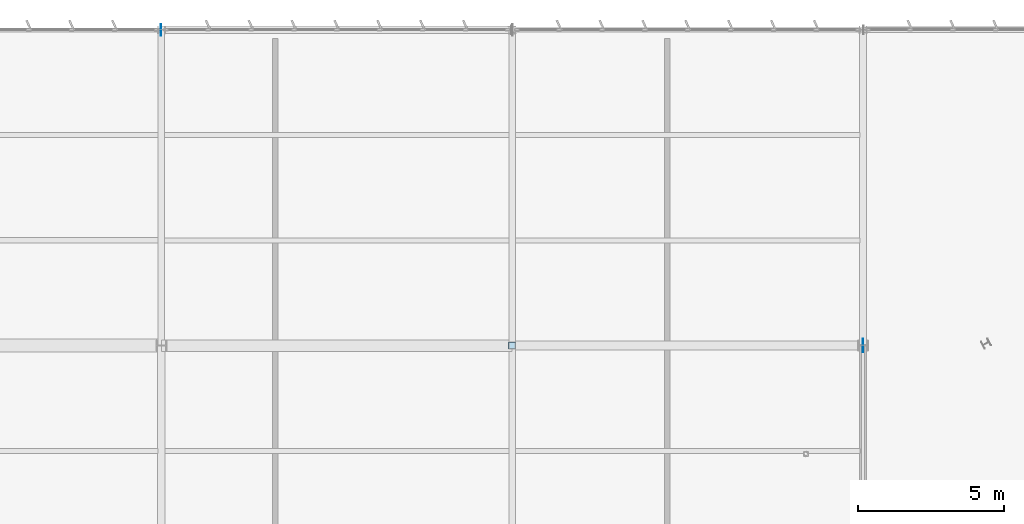
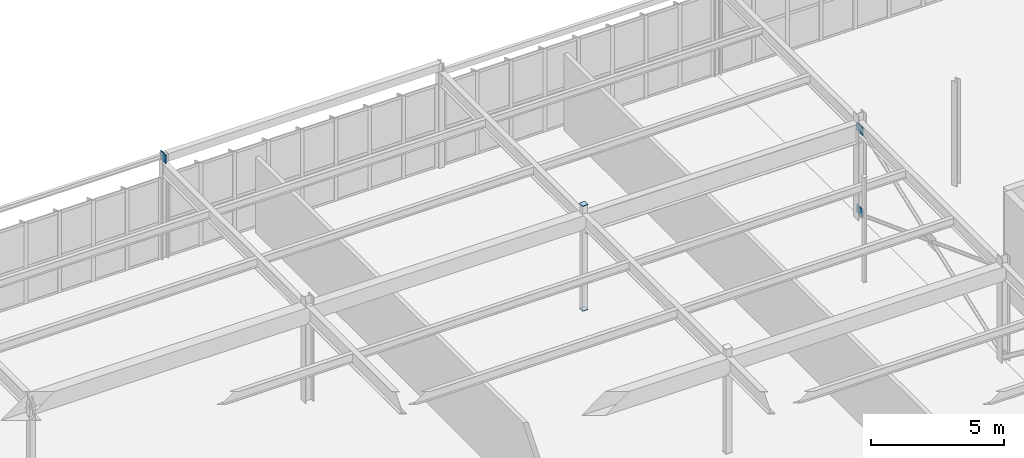
# One storey, part 172 of 226: 5 plates.
"""IFC4 building model written with IfcOpenShell, lengths in metres."""

from ifc_helpers import new_model, si_unit, direction, frame, origin, origin_2d, place, context, subcontext, project, spatial, rectangle, extrude, material, layer, layer_set, type_object, element, save


model = new_model("IFC4")

# Units and contexts
model_context = context("Model", 3, precision=1e-05, world=origin(), true_north=direction((0.0, 1.0)))
body_context = subcontext(model_context, "Body", "Model", "MODEL_VIEW")
ifc_project = project(units=[si_unit("LENGTHUNIT", "METRE"), si_unit("AREAUNIT", "SQUARE_METRE"), si_unit("VOLUMEUNIT", "CUBIC_METRE"), si_unit("PLANEANGLEUNIT", "RADIAN"), si_unit("MASSUNIT", "GRAM", prefix="KILO")], contexts=[model_context])

# Site, building, storey
site_placement = place(None, origin())
site = spatial("IfcSite", under=ifc_project, at=site_placement, CompositionType="ELEMENT")
building_placement = place(site_placement, origin())
building = spatial("IfcBuilding", under=site, at=building_placement, Name="Tarnwether General Hospital", CompositionType="ELEMENT")
storey_placement = place(building_placement, frame((0.0, 0.0, 4.800048828125)))
storey = spatial("IfcBuildingStorey", under=building, at=storey_placement, Name="L01", CompositionType="ELEMENT", Elevation=4.800048828125)

# Plates
ifc_material = material(Name="Steel Grade 350 (350 MPa)", Category="steel")
ifc_layer = layer(ifc_material, 0.02490234375)
ifc_layer_set = layer_set([ifc_layer], Name="Steel Grade 350 (350 MPa)")
plate_type = type_object("IfcPlateType", Name="PT-GUS2", PredefinedType="USERDEFINED", material=ifc_layer_set)
for number, where, z_axis, x_axis, name in (
    (1, (60.0, 115.199951171875, 0.110107421875), (0.0, 0.0, 1.0), (0.0, 1.0, 0.0), "X-Brace Corner Gusset Plate 045"),
    (2, (60.0, 115.199951171875, 3.860107421875), (0.0, 0.0, 1.0), (0.0, 1.0, 0.0), "X-Brace Corner Gusset Plate 047"),
):
    element("IfcPlate", number, at=place(storey_placement, frame(where, z_axis=z_axis, x_axis=x_axis)), inside=storey, type_object=plate_type, Name=name, ObjectType="GUSSET", PredefinedType="USERDEFINED", context=body_context, shape_type="SweptSolid", body=[
        extrude(rectangle(XDim=0.4599609375, YDim=0.02490234375, at=origin_2d()), origin(), (0.0, 0.0, 1.0), 0.3798828125),
    ])
for number, where, z_axis, x_axis, name in (
    (3, (48.0, 115.199951171875, -0.02490234375), (0.0, 0.0, 1.0), (1.0, 0.0, 0.0), "Hollow Section Welded End Cap Plate 0117"),
    (4, (48.0, 115.199951171875, 4.800048828125), (0.0, 0.0, 1.0), (1.0, 0.0, 0.0), "Hollow Section Welded End Cap Plate 0118"),
):
    element("IfcPlate", number, at=place(storey_placement, frame(where, z_axis=z_axis, x_axis=x_axis)), inside=storey, type_object=plate_type, Name=name, ObjectType="GUSSET", PredefinedType="USERDEFINED", context=body_context, shape_type="SweptSolid", body=[
        extrude(rectangle(XDim=0.239990234375, YDim=0.239990234375, at=origin_2d()), origin(), (0.0, 0.0, 1.0), 0.02490234375),
    ])
plate_placement = place(storey_placement, frame((35.987548828125, 126.0, 4.43017578125), z_axis=(0.0, 0.0, 1.0), x_axis=(1.0, 0.0, 0.0)))
element("IfcPlate", 5, at=plate_placement, inside=storey, type_object=plate_type, Name="Hollow Section Welded End Cap Plate 0915", ObjectType="GUSSET", PredefinedType="USERDEFINED", context=body_context, shape_type="SweptSolid", body=[
    extrude(rectangle(XDim=0.02490234375, YDim=0.389892578125, at=origin_2d()), origin(), (0.0, 0.0, 1.0), 0.389892578125),
])

save(model, "model.ifc")
